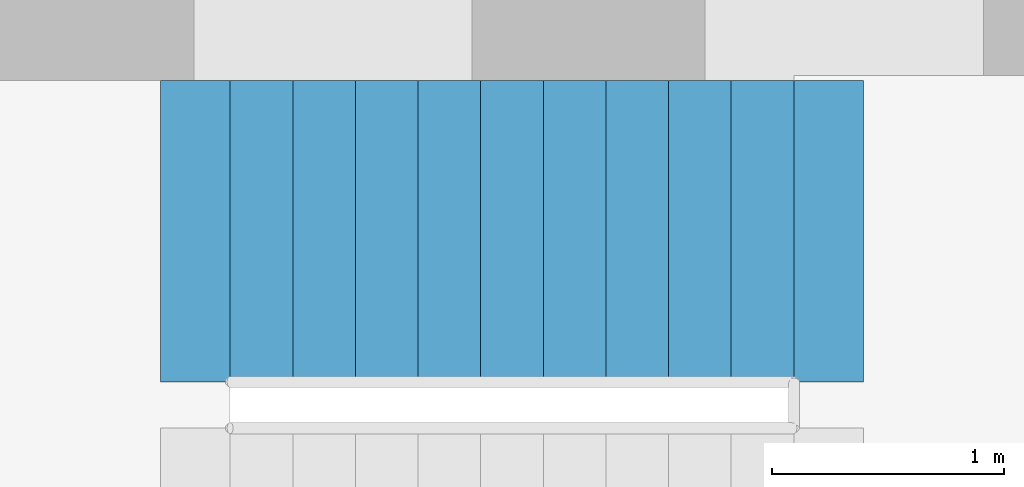
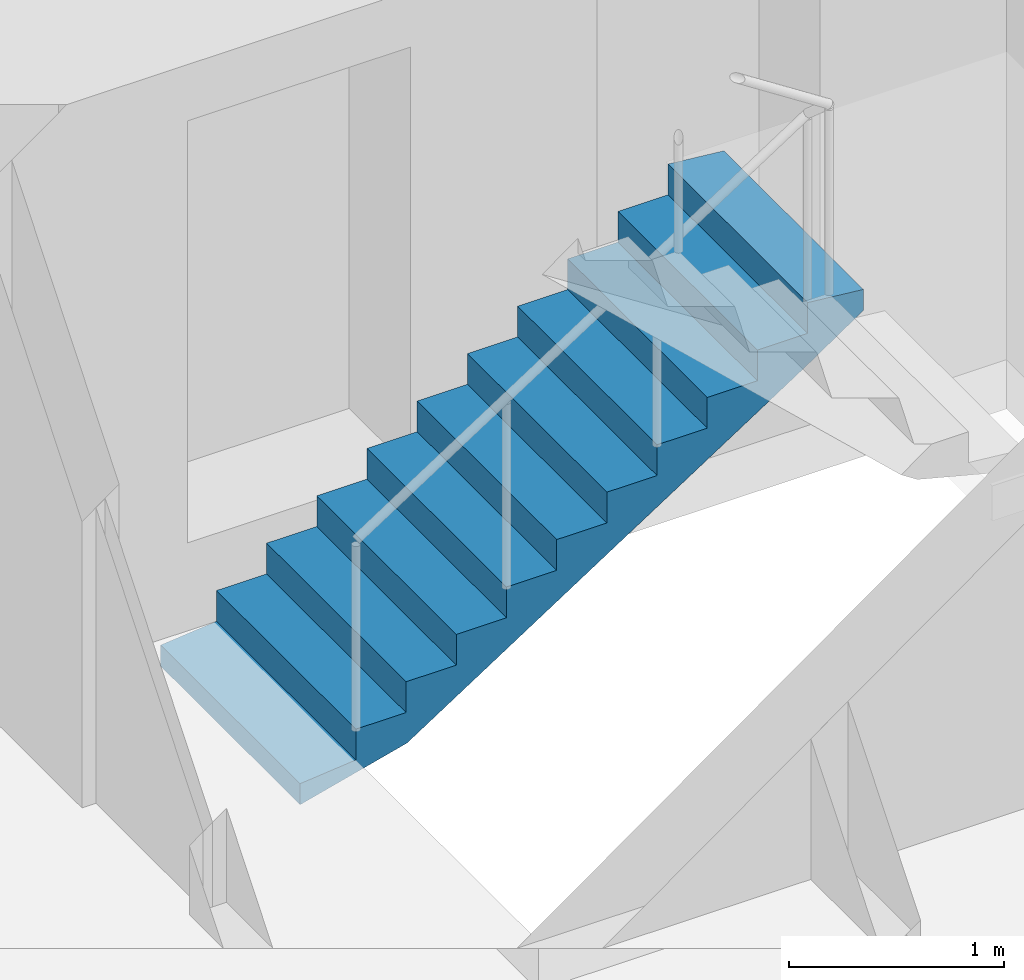
# One storey, part 11 of 19: 1 stair flight, 1 element without a shape of its own.
"""IFC4 building model written with IfcOpenShell, lengths in metres."""

from ifc_helpers import new_model, si_unit, direction, frame, origin, place, context, subcontext, project, spatial, polyline, outline, extrude, material, type_object, element, aggregate, save


model = new_model("IFC4")

# Units and contexts
model_context = context("Model", 3, precision=1e-05, world=origin(), true_north=direction((0.0, 1.0)))
body_context = subcontext(model_context, "Body", "Model", "MODEL_VIEW")
ifc_project = project(units=[si_unit("LENGTHUNIT", "METRE"), si_unit("AREAUNIT", "SQUARE_METRE"), si_unit("VOLUMEUNIT", "CUBIC_METRE"), si_unit("PLANEANGLEUNIT", "RADIAN"), si_unit("MASSUNIT", "GRAM", prefix="KILO")], contexts=[model_context])

# Site, building, storey
site_placement = place(None, origin())
site = spatial("IfcSite", under=ifc_project, at=site_placement, CompositionType="ELEMENT")
building_placement = place(site_placement, origin())
building = spatial("IfcBuilding", under=site, at=building_placement, Name="Vermilion Gate Residences", CompositionType="ELEMENT")
storey_placement = place(building_placement, frame((0.0, 0.0, 49.699951171875)))
storey = spatial("IfcBuildingStorey", under=building, at=storey_placement, Name="L11", CompositionType="ELEMENT", Elevation=49.699951171875)

# Stair, stair flight
ifc_material_1 = material(Name="Concrete C50", Category="concrete")
stair_type = type_object("IfcStairType", Name="SPECIAL ESCAPE STAIR 1300", PredefinedType="HALF_TURN_STAIR", material=ifc_material_1)
stair_placement = place(storey_placement, origin())
stair = element("IfcStair", 1, at=stair_placement, inside=storey, type_object=stair_type, Name="Special escape stair STB1-11", PredefinedType="HALF_TURN_STAIR")
ifc_material_2 = material(Name="Concrete C50", Category="concrete")
stair_flight_type = type_object("IfcStairFlightType", Name="STAIR FLIGHT 1300 RC C50", PredefinedType="STRAIGHT", material=ifc_material_2)
stair_flight_placement = place(storey_placement, frame((19.75, 56.949951171875, 0.0), z_axis=(0.0, 0.0, 1.0), x_axis=(1.0, 0.0, 0.0)))
stair_flight = element("IfcStairFlight", 2, at=stair_flight_placement, type_object=stair_flight_type, Name="STB1-11 flight 1", NumberOfRisers=10, NumberOfTreads=9, PredefinedType="STRAIGHT", RiserHeight=0.175, TreadLength=0.27, context=body_context, shape_type="SweptSolid", body=[
    extrude(outline(polyline([(-0.300048828125, -0.14990234375), (-0.300048828125, -0.030029296875), (0.0, 0.0), (0.0, 0.175048828125), (0.27001953125, 0.175048828125), (0.27001953125, 0.35009765625), (0.5400390625, 0.35009765625), (0.5400390625, 0.52490234375), (0.81005859375, 0.52490234375), (0.81005859375, 0.699951171875), (1.080078125, 0.699951171875), (1.080078125, 0.875), (1.35009765625, 0.875), (1.35009765625, 1.050048828125), (1.6201171875, 1.050048828125), (1.6201171875, 1.22509765625), (1.889892578125, 1.22509765625), (1.889892578125, 1.39990234375), (2.159912109375, 1.39990234375), (2.159912109375, 1.574951171875), (2.429931640625, 1.574951171875), (2.429931640625, 1.75), (2.72998046875, 1.719970703125), (2.72998046875, 1.60009765625), (2.429931640625, 1.396484375), (0.275634765625, 0.0), (-0.300048828125, -0.14990234375)])), frame((0.0, 0.64990234375, 0.0), z_axis=(0.0, -1.0, 0.0), x_axis=(1.0, 0.0, 0.0)), (0.0, 0.0, 1.0), 1.300048828125),
])
aggregate(stair, [stair_flight])

save(model, "model.ifc")
